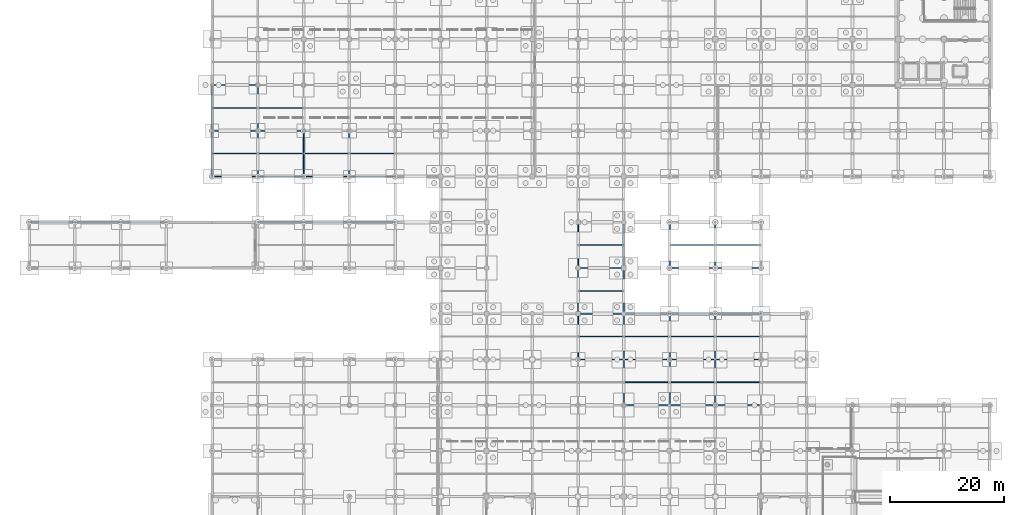
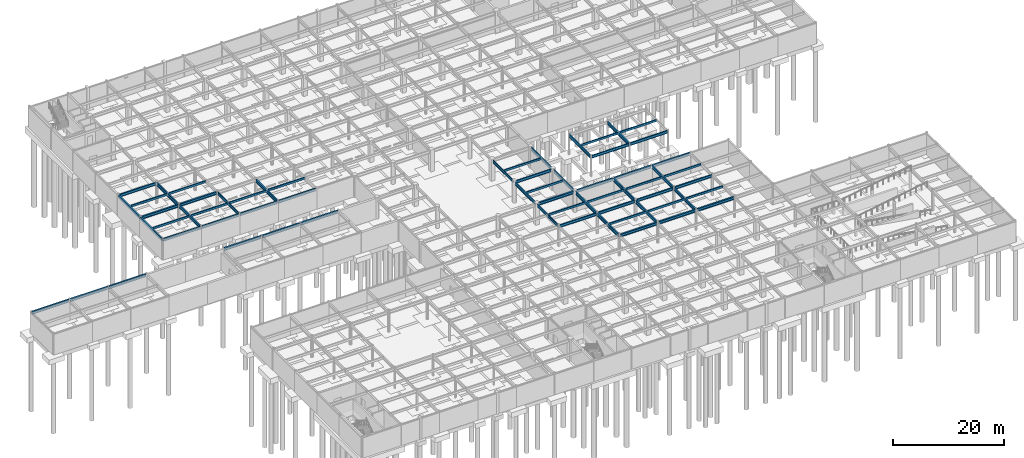
# One storey, part 47 of 105: 63 beams.
"""IFC4 building model written with IfcOpenShell, lengths in metres."""

from ifc_helpers import new_model, si_unit, direction, frame, origin, origin_2d, place, context, subcontext, project, spatial, hollow_rectangle, i_section, extrude, material, material_profile, profile_set, type_object, element, save


model = new_model("IFC4")

# Units and contexts
model_context = context("Model", 3, precision=1e-05, world=origin(), true_north=direction((0.0, 1.0)))
body_context = subcontext(model_context, "Body", "Model", "MODEL_VIEW")
ifc_project = project(units=[si_unit("LENGTHUNIT", "METRE"), si_unit("AREAUNIT", "SQUARE_METRE"), si_unit("VOLUMEUNIT", "CUBIC_METRE"), si_unit("PLANEANGLEUNIT", "RADIAN"), si_unit("MASSUNIT", "GRAM", prefix="KILO")], contexts=[model_context])

# Site, building, storey
site_placement = place(None, origin())
site = spatial("IfcSite", under=ifc_project, at=site_placement, CompositionType="ELEMENT")
building_placement = place(site_placement, origin())
building = spatial("IfcBuilding", under=site, at=building_placement, Name="Solmirada Galleria", CompositionType="ELEMENT")
storey_placement = place(building_placement, frame((0.0, 0.0, -4.800048828125)))
storey = spatial("IfcBuildingStorey", under=building, at=storey_placement, Name="B1", CompositionType="ELEMENT", Elevation=-4.800048828125)

# Beams
ifc_material_1 = material(Name="Steel S355 / ASTM A992 Grade 50", Category="steel")
ifc_material_profile_1 = material_profile(ifc_material_1, i_section(OverallWidth=0.323974609375, OverallDepth=0.611083984375, WebThickness=0.0126953125, FlangeThickness=0.01904296875, FilletRadius=0.014892578125, at=origin_2d()), Name="W24X104")
ifc_profile_set_1 = profile_set([ifc_material_profile_1], Name="Steel S355 / ASTM A992 Grade 50")
beam_type_1 = type_object("IfcBeamType", Name="BM-GIRD-W24A", PredefinedType="BEAM", material=ifc_profile_set_1)
for number, where, z_axis, x_axis, name in (
    (1, (8.126953125, 64.0, 4.274658203125), (1.0, 0.0, 0.0), (0.0, 1.0, 0.0), "Primary beam L00 X(8..16, 64)"),
    (2, (16.126953125, 64.0, 4.274658203125), (1.0, 0.0, 0.0), (0.0, 1.0, 0.0), "Primary beam L00 X(16..24, 64)"),
    (3, (24.126953125, 64.0, 4.274658203125), (1.0, 0.0, 0.0), (0.0, 1.0, 0.0), "Primary beam L00 X(24..32, 64)"),
):
    element("IfcBeam", number, at=place(storey_placement, frame(where, z_axis=z_axis, x_axis=x_axis)), inside=storey, type_object=beam_type_1, Name=name, PredefinedType="BEAM", context=body_context, shape_type="SweptSolid", body=[
        extrude(i_section(OverallWidth=0.323974609375, OverallDepth=0.611083984375, WebThickness=0.0126953125, FlangeThickness=0.01904296875, FilletRadius=0.014892578125, at=origin_2d()), origin(), (0.0, 0.0, 1.0), 7.74609375),
    ])
beam_1_placement = place(storey_placement, frame((40.177978515625, 80.0, 4.274658203125), z_axis=(1.0, 0.0, 0.0), x_axis=(0.0, 1.0, 0.0)))
element("IfcBeam", 4, at=beam_1_placement, inside=storey, type_object=beam_type_1, Name="Primary beam L00 X(40..48, 80)", PredefinedType="BEAM", context=body_context, shape_type="SweptSolid", body=[
    extrude(i_section(OverallWidth=0.323974609375, OverallDepth=0.611083984375, WebThickness=0.0126953125, FlangeThickness=0.01904296875, FilletRadius=0.014892578125, at=origin_2d()), origin(), (0.0, 0.0, 1.0), 7.64404296875),
])
beam_2_placement = place(storey_placement, frame((48.126953125, 64.0, 4.274658203125), z_axis=(1.0, 0.0, 0.0), x_axis=(0.0, 1.0, 0.0)))
element("IfcBeam", 5, at=beam_2_placement, inside=storey, type_object=beam_type_1, Name="Primary beam L00 X(48..56, 64)", PredefinedType="BEAM", context=body_context, shape_type="SweptSolid", body=[
    extrude(i_section(OverallWidth=0.323974609375, OverallDepth=0.611083984375, WebThickness=0.0126953125, FlangeThickness=0.01904296875, FilletRadius=0.014892578125, at=origin_2d()), origin(), (0.0, 0.0, 1.0), 7.74609375),
])
beam_3_placement = place(storey_placement, frame((48.177978515625, 80.0, 4.274658203125), z_axis=(1.0, 0.0, 0.0), x_axis=(0.0, 1.0, 0.0)))
element("IfcBeam", 6, at=beam_3_placement, inside=storey, type_object=beam_type_1, Name="Primary beam L00 X(48..56, 80)", PredefinedType="BEAM", context=body_context, shape_type="SweptSolid", body=[
    extrude(i_section(OverallWidth=0.323974609375, OverallDepth=0.611083984375, WebThickness=0.0126953125, FlangeThickness=0.01904296875, FilletRadius=0.014892578125, at=origin_2d()), origin(), (0.0, 0.0, 1.0), 7.64404296875),
])
for number, where, z_axis, x_axis, name in (
    (7, (56.126953125, 64.0, 4.274658203125), (1.0, 0.0, 0.0), (0.0, 1.0, 0.0), "Primary beam L00 X(56..64, 64)"),
    (8, (64.126953125, 64.0, 4.274658203125), (1.0, 0.0, 0.0), (0.0, 1.0, 0.0), "Primary beam L00 X(64..72, 64)"),
):
    element("IfcBeam", number, at=place(storey_placement, frame(where, z_axis=z_axis, x_axis=x_axis)), inside=storey, type_object=beam_type_1, Name=name, PredefinedType="BEAM", context=body_context, shape_type="SweptSolid", body=[
        extrude(i_section(OverallWidth=0.323974609375, OverallDepth=0.611083984375, WebThickness=0.0126953125, FlangeThickness=0.01904296875, FilletRadius=0.014892578125, at=origin_2d()), origin(), (0.0, 0.0, 1.0), 7.74609375),
    ])
beam_4_placement = place(storey_placement, frame((104.39990234375, 48.0, 4.274658203125), z_axis=(1.0, 0.0, 0.0), x_axis=(0.0, 1.0, 0.0)))
element("IfcBeam", 9, at=beam_4_placement, inside=storey, type_object=beam_type_1, Name="Primary beam L00 X(104..112, 48)", PredefinedType="BEAM", context=body_context, shape_type="SweptSolid", body=[
    extrude(i_section(OverallWidth=0.323974609375, OverallDepth=0.611083984375, WebThickness=0.0126953125, FlangeThickness=0.01904296875, FilletRadius=0.014892578125, at=origin_2d()), origin(), (0.0, 0.0, 1.0), 7.26416015625),
])
beam_5_placement = place(storey_placement, frame((112.19189453125, 32.0, 4.274658203125), z_axis=(1.0, 0.0, 0.0), x_axis=(0.0, 1.0, 0.0)))
element("IfcBeam", 10, at=beam_5_placement, inside=storey, type_object=beam_type_1, Name="Primary beam L00 X(112..120, 32)", PredefinedType="BEAM", context=body_context, shape_type="SweptSolid", body=[
    extrude(i_section(OverallWidth=0.323974609375, OverallDepth=0.611083984375, WebThickness=0.0126953125, FlangeThickness=0.01904296875, FilletRadius=0.014892578125, at=origin_2d()), origin(), (0.0, 0.0, 1.0), 7.6162109375),
])
beam_6_placement = place(storey_placement, frame((112.3359375, 48.0, 4.274658203125), z_axis=(1.0, 0.0, 0.0), x_axis=(0.0, 1.0, 0.0)))
element("IfcBeam", 11, at=beam_6_placement, inside=storey, type_object=beam_type_1, Name="Primary beam L00 X(112..120, 48)", PredefinedType="BEAM", context=body_context, shape_type="SweptSolid", body=[
    extrude(i_section(OverallWidth=0.323974609375, OverallDepth=0.611083984375, WebThickness=0.0126953125, FlangeThickness=0.01904296875, FilletRadius=0.014892578125, at=origin_2d()), origin(), (0.0, 0.0, 1.0), 7.537109375),
])
beam_7_placement = place(storey_placement, frame((120.19189453125, 32.0, 4.274658203125), z_axis=(1.0, 0.0, 0.0), x_axis=(0.0, 1.0, 0.0)))
element("IfcBeam", 12, at=beam_7_placement, inside=storey, type_object=beam_type_1, Name="Primary beam L00 X(120..128, 32)", PredefinedType="BEAM", context=body_context, shape_type="SweptSolid", body=[
    extrude(i_section(OverallWidth=0.323974609375, OverallDepth=0.611083984375, WebThickness=0.0126953125, FlangeThickness=0.01904296875, FilletRadius=0.014892578125, at=origin_2d()), origin(), (0.0, 0.0, 1.0), 7.6376953125),
])
beam_8_placement = place(storey_placement, frame((120.126953125, 48.0, 4.274658203125), z_axis=(1.0, 0.0, 0.0), x_axis=(0.0, 1.0, 0.0)))
element("IfcBeam", 13, at=beam_8_placement, inside=storey, type_object=beam_type_1, Name="Primary beam L00 X(120..128, 48)", PredefinedType="BEAM", context=body_context, shape_type="SweptSolid", body=[
    extrude(i_section(OverallWidth=0.323974609375, OverallDepth=0.611083984375, WebThickness=0.0126953125, FlangeThickness=0.01904296875, FilletRadius=0.014892578125, at=origin_2d()), origin(), (0.0, 0.0, 1.0), 7.74609375),
])
beam_9_placement = place(storey_placement, frame((128.17041015625, 32.0, 4.274658203125), z_axis=(1.0, 0.0, 0.0), x_axis=(0.0, 1.0, 0.0)))
element("IfcBeam", 14, at=beam_9_placement, inside=storey, type_object=beam_type_1, Name="Primary beam L00 X(128..136, 32)", PredefinedType="BEAM", context=body_context, shape_type="SweptSolid", body=[
    extrude(i_section(OverallWidth=0.323974609375, OverallDepth=0.611083984375, WebThickness=0.0126953125, FlangeThickness=0.01904296875, FilletRadius=0.014892578125, at=origin_2d()), origin(), (0.0, 0.0, 1.0), 7.6591796875),
])
beam_10_placement = place(storey_placement, frame((128.126953125, 48.0, 4.274658203125), z_axis=(1.0, 0.0, 0.0), x_axis=(0.0, 1.0, 0.0)))
element("IfcBeam", 15, at=beam_10_placement, inside=storey, type_object=beam_type_1, Name="Primary beam L00 X(128..136, 48)", PredefinedType="BEAM", context=body_context, shape_type="SweptSolid", body=[
    extrude(i_section(OverallWidth=0.323974609375, OverallDepth=0.611083984375, WebThickness=0.0126953125, FlangeThickness=0.01904296875, FilletRadius=0.014892578125, at=origin_2d()), origin(), (0.0, 0.0, 1.0), 7.74609375),
])
ifc_material_profile_2 = material_profile(ifc_material_1, i_section(OverallWidth=0.22900390625, OverallDepth=0.612060546875, WebThickness=0.011962890625, FlangeThickness=0.01953125, FilletRadius=0.014892578125, at=origin_2d()), Name="W24X84")
ifc_profile_set_2 = profile_set([ifc_material_profile_2], Name="Steel S355 / ASTM A992 Grade 50")
beam_type_2 = type_object("IfcBeamType", Name="BM-GIRD-W24B", PredefinedType="BEAM", material=ifc_profile_set_2)
beam_11_placement = place(storey_placement, frame((40.152587890625, 72.0, 4.274169921875), z_axis=(1.0, 0.0, 0.0), x_axis=(0.0, 1.0, 0.0)))
element("IfcBeam", 16, at=beam_11_placement, inside=storey, type_object=beam_type_2, Name="Primary beam L00 X(40..48, 72)", PredefinedType="BEAM", context=body_context, shape_type="SweptSolid", body=[
    extrude(i_section(OverallWidth=0.22900390625, OverallDepth=0.612060546875, WebThickness=0.011962890625, FlangeThickness=0.01953125, FilletRadius=0.014892578125, at=origin_2d()), origin(), (0.0, 0.0, 1.0), 7.720458984375),
])
beam_12_placement = place(storey_placement, frame((40.21337890625, 88.0, 4.274169921875), z_axis=(1.0, 0.0, 0.0), x_axis=(0.0, 1.0, 0.0)))
element("IfcBeam", 17, at=beam_12_placement, inside=storey, type_object=beam_type_2, Name="Primary beam L00 X(40..48, 88)", PredefinedType="BEAM", context=body_context, shape_type="SweptSolid", body=[
    extrude(i_section(OverallWidth=0.22900390625, OverallDepth=0.612060546875, WebThickness=0.011962890625, FlangeThickness=0.01953125, FilletRadius=0.014892578125, at=origin_2d()), origin(), (0.0, 0.0, 1.0), 7.5732421875),
])
for number, where, z_axis, x_axis, name in (
    (18, (48.126953125, 72.0, 4.274169921875), (1.0, 0.0, 0.0), (0.0, 1.0, 0.0), "Primary beam L00 X(48..56, 72)"),
    (19, (56.126953125, 72.0, 4.274169921875), (1.0, 0.0, 0.0), (0.0, 1.0, 0.0), "Primary beam L00 X(56..64, 72)"),
    (20, (64.126953125, 72.0, 4.274169921875), (1.0, 0.0, 0.0), (0.0, 1.0, 0.0), "Primary beam L00 X(64..72, 72)"),
):
    element("IfcBeam", number, at=place(storey_placement, frame(where, z_axis=z_axis, x_axis=x_axis)), inside=storey, type_object=beam_type_2, Name=name, PredefinedType="BEAM", context=body_context, shape_type="SweptSolid", body=[
        extrude(i_section(OverallWidth=0.22900390625, OverallDepth=0.612060546875, WebThickness=0.011962890625, FlangeThickness=0.01953125, FilletRadius=0.014892578125, at=origin_2d()), origin(), (0.0, 0.0, 1.0), 7.74609375),
    ])
beam_13_placement = place(storey_placement, frame((104.177978515625, 40.0, 4.274169921875), z_axis=(1.0, 0.0, 0.0), x_axis=(0.0, 1.0, 0.0)))
element("IfcBeam", 21, at=beam_13_placement, inside=storey, type_object=beam_type_2, Name="Primary beam L00 X(104..112, 40)", PredefinedType="BEAM", context=body_context, shape_type="SweptSolid", body=[
    extrude(i_section(OverallWidth=0.22900390625, OverallDepth=0.612060546875, WebThickness=0.011962890625, FlangeThickness=0.01953125, FilletRadius=0.014892578125, at=origin_2d()), origin(), (0.0, 0.0, 1.0), 7.64404296875),
])
beam_14_placement = place(storey_placement, frame((104.3359375, 56.0, 4.274169921875), z_axis=(1.0, 0.0, 0.0), x_axis=(0.0, 1.0, 0.0)))
element("IfcBeam", 22, at=beam_14_placement, inside=storey, type_object=beam_type_2, Name="Primary beam L00 X(104..112, 56)", PredefinedType="BEAM", context=body_context, shape_type="SweptSolid", body=[
    extrude(i_section(OverallWidth=0.22900390625, OverallDepth=0.612060546875, WebThickness=0.011962890625, FlangeThickness=0.01953125, FilletRadius=0.014892578125, at=origin_2d()), origin(), (0.0, 0.0, 1.0), 7.26416015625),
])
for number, where, z_axis, x_axis, name in (
    (23, (112.177978515625, 40.0, 4.274169921875), (1.0, 0.0, 0.0), (0.0, 1.0, 0.0), "Primary beam L00 X(112..120, 40)"),
    (24, (120.177978515625, 40.0, 4.274169921875), (1.0, 0.0, 0.0), (0.0, 1.0, 0.0), "Primary beam L00 X(120..128, 40)"),
):
    element("IfcBeam", number, at=place(storey_placement, frame(where, z_axis=z_axis, x_axis=x_axis)), inside=storey, type_object=beam_type_2, Name=name, PredefinedType="BEAM", context=body_context, shape_type="SweptSolid", body=[
        extrude(i_section(OverallWidth=0.22900390625, OverallDepth=0.612060546875, WebThickness=0.011962890625, FlangeThickness=0.01953125, FilletRadius=0.014892578125, at=origin_2d()), origin(), (0.0, 0.0, 1.0), 7.64404296875),
    ])
beam_15_placement = place(storey_placement, frame((120.126953125, 56.0, 4.274169921875), z_axis=(1.0, 0.0, 0.0), x_axis=(0.0, 1.0, 0.0)))
element("IfcBeam", 25, at=beam_15_placement, inside=storey, type_object=beam_type_2, Name="Primary beam L00 X(120..128, 56)", PredefinedType="BEAM", context=body_context, shape_type="SweptSolid", body=[
    extrude(i_section(OverallWidth=0.22900390625, OverallDepth=0.612060546875, WebThickness=0.011962890625, FlangeThickness=0.01953125, FilletRadius=0.014892578125, at=origin_2d()), origin(), (0.0, 0.0, 1.0), 7.74609375),
])
beam_16_placement = place(storey_placement, frame((128.177978515625, 40.0, 4.274169921875), z_axis=(1.0, 0.0, 0.0), x_axis=(0.0, 1.0, 0.0)))
element("IfcBeam", 26, at=beam_16_placement, inside=storey, type_object=beam_type_2, Name="Primary beam L00 X(128..136, 40)", PredefinedType="BEAM", context=body_context, shape_type="SweptSolid", body=[
    extrude(i_section(OverallWidth=0.22900390625, OverallDepth=0.612060546875, WebThickness=0.011962890625, FlangeThickness=0.01953125, FilletRadius=0.014892578125, at=origin_2d()), origin(), (0.0, 0.0, 1.0), 7.64404296875),
])
beam_17_placement = place(storey_placement, frame((128.126953125, 56.0, 4.274169921875), z_axis=(1.0, 0.0, 0.0), x_axis=(0.0, 1.0, 0.0)))
element("IfcBeam", 27, at=beam_17_placement, inside=storey, type_object=beam_type_2, Name="Primary beam L00 X(128..136, 56)", PredefinedType="BEAM", context=body_context, shape_type="SweptSolid", body=[
    extrude(i_section(OverallWidth=0.22900390625, OverallDepth=0.612060546875, WebThickness=0.011962890625, FlangeThickness=0.01953125, FilletRadius=0.014892578125, at=origin_2d()), origin(), (0.0, 0.0, 1.0), 7.74609375),
])
ifc_material_profile_3 = material_profile(ifc_material_1, i_section(OverallWidth=0.22802734375, OverallDepth=0.60302734375, WebThickness=0.010498046875, FlangeThickness=0.014892578125, FilletRadius=0.014892578125, at=origin_2d()), Name="W24X68")
ifc_profile_set_3 = profile_set([ifc_material_profile_3], Name="Steel S355 / ASTM A992 Grade 50")
beam_type_3 = type_object("IfcBeamType", Name="BM-GIRD-W24C", PredefinedType="BEAM", material=ifc_profile_set_3)
beam_18_placement = place(storey_placement, frame((104.0, 48.39990234375, 4.278564453125), z_axis=(0.0, 1.0, 0.0), x_axis=(-1.0, 0.0, 0.0)))
element("IfcBeam", 28, at=beam_18_placement, inside=storey, type_object=beam_type_3, Name="Primary girder L00 Y(104, 48..56)", PredefinedType="BEAM", context=body_context, shape_type="SweptSolid", body=[
    extrude(i_section(OverallWidth=0.22802734375, OverallDepth=0.60302734375, WebThickness=0.010498046875, FlangeThickness=0.014892578125, FilletRadius=0.014892578125, at=origin_2d()), origin(), (0.0, 0.0, 1.0), 7.26416015625),
])
ifc_material_profile_4 = material_profile(ifc_material_1, i_section(OverallWidth=0.177978515625, OverallDepth=0.59912109375, WebThickness=0.010009765625, FlangeThickness=0.0126953125, FilletRadius=0.013916015625, at=origin_2d()), Name="W24X55")
ifc_profile_set_4 = profile_set([ifc_material_profile_4], Name="Steel S355 / ASTM A992 Grade 50")
beam_type_4 = type_object("IfcBeamType", Name="BM-GIRD-W24D", PredefinedType="BEAM", material=ifc_profile_set_4)
beam_19_placement = place(storey_placement, frame((56.0, 72.126953125, 4.280517578125), z_axis=(0.0, 1.0, 0.0), x_axis=(-1.0, 0.0, 0.0)))
element("IfcBeam", 29, at=beam_19_placement, inside=storey, type_object=beam_type_4, Name="Primary girder L00 Y(56, 72..80)", PredefinedType="BEAM", context=body_context, shape_type="SweptSolid", body=[
    extrude(i_section(OverallWidth=0.177978515625, OverallDepth=0.59912109375, WebThickness=0.010009765625, FlangeThickness=0.0126953125, FilletRadius=0.013916015625, at=origin_2d()), origin(), (0.0, 0.0, 1.0), 7.695068359375),
])
beam_20_placement = place(storey_placement, frame((104.0, 40.177978515625, 4.280517578125), z_axis=(0.0, 1.0, 0.0), x_axis=(-1.0, 0.0, 0.0)))
element("IfcBeam", 30, at=beam_20_placement, inside=storey, type_object=beam_type_4, Name="Primary girder L00 Y(104, 40..48)", PredefinedType="BEAM", context=body_context, shape_type="SweptSolid", body=[
    extrude(i_section(OverallWidth=0.177978515625, OverallDepth=0.59912109375, WebThickness=0.010009765625, FlangeThickness=0.0126953125, FilletRadius=0.013916015625, at=origin_2d()), origin(), (0.0, 0.0, 1.0), 7.422119140625),
])
beam_21_placement = place(storey_placement, frame((104.0, 56.3359375, 4.280517578125), z_axis=(0.0, 1.0, 0.0), x_axis=(-1.0, 0.0, 0.0)))
element("IfcBeam", 31, at=beam_21_placement, inside=storey, type_object=beam_type_4, Name="Primary girder L00 Y(104, 56..64)", PredefinedType="BEAM", context=body_context, shape_type="SweptSolid", body=[
    extrude(i_section(OverallWidth=0.177978515625, OverallDepth=0.59912109375, WebThickness=0.010009765625, FlangeThickness=0.0126953125, FilletRadius=0.013916015625, at=origin_2d()), origin(), (0.0, 0.0, 1.0), 7.26416015625),
])
ifc_material_profile_5 = material_profile(ifc_material_1, i_section(OverallWidth=0.256103515625, OverallDepth=0.693115234375, WebThickness=0.014404296875, FlangeThickness=0.023681640625, FilletRadius=0.01806640625, at=origin_2d()), Name="W27X114")
ifc_profile_set_5 = profile_set([ifc_material_profile_5], Name="Steel S355 / ASTM A992 Grade 50")
beam_type_5 = type_object("IfcBeamType", Name="BM-GIRD-W27A", PredefinedType="BEAM", material=ifc_profile_set_5)
beam_22_placement = place(storey_placement, frame((48.0, 72.126953125, 4.233642578125), z_axis=(0.0, 1.0, 0.0), x_axis=(-1.0, 0.0, 0.0)))
element("IfcBeam", 32, at=beam_22_placement, inside=storey, type_object=beam_type_5, Name="Primary girder L00 Y(48, 72..80)", PredefinedType="BEAM", context=body_context, shape_type="SweptSolid", body=[
    extrude(i_section(OverallWidth=0.256103515625, OverallDepth=0.693115234375, WebThickness=0.014404296875, FlangeThickness=0.023681640625, FilletRadius=0.01806640625, at=origin_2d()), origin(), (0.0, 0.0, 1.0), 7.695068359375),
])
beam_23_placement = place(storey_placement, frame((48.0, 80.177978515625, 4.233642578125), z_axis=(0.0, 1.0, 0.0), x_axis=(-1.0, 0.0, 0.0)))
element("IfcBeam", 33, at=beam_23_placement, inside=storey, type_object=beam_type_5, Name="Primary girder L00 Y(48, 80..88)", PredefinedType="BEAM", context=body_context, shape_type="SweptSolid", body=[
    extrude(i_section(OverallWidth=0.256103515625, OverallDepth=0.693115234375, WebThickness=0.014404296875, FlangeThickness=0.023681640625, FilletRadius=0.01806640625, at=origin_2d()), origin(), (0.0, 0.0, 1.0), 7.608642578125),
])
beam_24_placement = place(storey_placement, frame((120.0, 32.19189453125, 4.233642578125), z_axis=(0.0, 1.0, 0.0), x_axis=(-1.0, 0.0, 0.0)))
element("IfcBeam", 34, at=beam_24_placement, inside=storey, type_object=beam_type_5, Name="Primary girder L00 Y(120, 32..40)", PredefinedType="BEAM", context=body_context, shape_type="SweptSolid", body=[
    extrude(i_section(OverallWidth=0.256103515625, OverallDepth=0.693115234375, WebThickness=0.014404296875, FlangeThickness=0.023681640625, FilletRadius=0.01806640625, at=origin_2d()), origin(), (0.0, 0.0, 1.0), 7.630126953125),
])
beam_25_placement = place(storey_placement, frame((120.0, 40.177978515625, 4.233642578125), z_axis=(0.0, 1.0, 0.0), x_axis=(-1.0, 0.0, 0.0)))
element("IfcBeam", 35, at=beam_25_placement, inside=storey, type_object=beam_type_5, Name="Primary girder L00 Y(120, 40..48)", PredefinedType="BEAM", context=body_context, shape_type="SweptSolid", body=[
    extrude(i_section(OverallWidth=0.256103515625, OverallDepth=0.693115234375, WebThickness=0.014404296875, FlangeThickness=0.023681640625, FilletRadius=0.01806640625, at=origin_2d()), origin(), (0.0, 0.0, 1.0), 7.695068359375),
])
beam_26_placement = place(storey_placement, frame((120.0, 56.126953125, 4.233642578125), z_axis=(0.0, 1.0, 0.0), x_axis=(-1.0, 0.0, 0.0)))
element("IfcBeam", 36, at=beam_26_placement, inside=storey, type_object=beam_type_5, Name="Primary girder L00 Y(120, 56..64)", PredefinedType="BEAM", context=body_context, shape_type="SweptSolid", body=[
    extrude(i_section(OverallWidth=0.256103515625, OverallDepth=0.693115234375, WebThickness=0.014404296875, FlangeThickness=0.023681640625, FilletRadius=0.01806640625, at=origin_2d()), origin(), (0.0, 0.0, 1.0), 7.74609375),
])
ifc_material_profile_6 = material_profile(ifc_material_1, i_section(OverallWidth=0.25390625, OverallDepth=0.68408203125, WebThickness=0.012451171875, FlangeThickness=0.018798828125, FilletRadius=0.01708984375, at=origin_2d()), Name="W27X94")
ifc_profile_set_6 = profile_set([ifc_material_profile_6], Name="Steel S355 / ASTM A992 Grade 50")
beam_type_6 = type_object("IfcBeamType", Name="BM-GIRD-W27B", PredefinedType="BEAM", material=ifc_profile_set_6)
beam_27_placement = place(storey_placement, frame((64.0, 72.126953125, 4.238037109375), z_axis=(0.0, 1.0, 0.0), x_axis=(-1.0, 0.0, 0.0)))
element("IfcBeam", 37, at=beam_27_placement, inside=storey, type_object=beam_type_6, Name="Primary girder L00 Y(64, 72..80)", PredefinedType="BEAM", context=body_context, shape_type="SweptSolid", body=[
    extrude(i_section(OverallWidth=0.25390625, OverallDepth=0.68408203125, WebThickness=0.012451171875, FlangeThickness=0.018798828125, FilletRadius=0.01708984375, at=origin_2d()), origin(), (0.0, 0.0, 1.0), 7.695068359375),
])
beam_28_placement = place(storey_placement, frame((112.0, 32.19189453125, 4.238037109375), z_axis=(0.0, 1.0, 0.0), x_axis=(-1.0, 0.0, 0.0)))
element("IfcBeam", 38, at=beam_28_placement, inside=storey, type_object=beam_type_6, Name="Primary girder L00 Y(112, 32..40)", PredefinedType="BEAM", context=body_context, shape_type="SweptSolid", body=[
    extrude(i_section(OverallWidth=0.25390625, OverallDepth=0.68408203125, WebThickness=0.012451171875, FlangeThickness=0.018798828125, FilletRadius=0.01708984375, at=origin_2d()), origin(), (0.0, 0.0, 1.0), 7.630126953125),
])
beam_29_placement = place(storey_placement, frame((112.0, 40.177978515625, 4.238037109375), z_axis=(0.0, 1.0, 0.0), x_axis=(-1.0, 0.0, 0.0)))
element("IfcBeam", 39, at=beam_29_placement, inside=storey, type_object=beam_type_6, Name="Primary girder L00 Y(112, 40..48)", PredefinedType="BEAM", context=body_context, shape_type="SweptSolid", body=[
    extrude(i_section(OverallWidth=0.25390625, OverallDepth=0.68408203125, WebThickness=0.012451171875, FlangeThickness=0.018798828125, FilletRadius=0.01708984375, at=origin_2d()), origin(), (0.0, 0.0, 1.0), 7.486083984375),
])
for number, where, z_axis, x_axis, name in (
    (40, (112.0, 48.3359375, 4.238037109375), (0.0, 1.0, 0.0), (-1.0, 0.0, 0.0), "Primary girder L00 Y(112, 48..56)"),
    (41, (112.0, 56.39990234375, 4.238037109375), (0.0, 1.0, 0.0), (-1.0, 0.0, 0.0), "Primary girder L00 Y(112, 56..64)"),
):
    element("IfcBeam", number, at=place(storey_placement, frame(where, z_axis=z_axis, x_axis=x_axis)), inside=storey, type_object=beam_type_6, Name=name, PredefinedType="BEAM", context=body_context, shape_type="SweptSolid", body=[
        extrude(i_section(OverallWidth=0.25390625, OverallDepth=0.68408203125, WebThickness=0.012451171875, FlangeThickness=0.018798828125, FilletRadius=0.01708984375, at=origin_2d()), origin(), (0.0, 0.0, 1.0), 7.26416015625),
    ])
beam_30_placement = place(storey_placement, frame((128.0, 32.17041015625, 4.238037109375), z_axis=(0.0, 1.0, 0.0), x_axis=(-1.0, 0.0, 0.0)))
element("IfcBeam", 42, at=beam_30_placement, inside=storey, type_object=beam_type_6, Name="Primary girder L00 Y(128, 32..40)", PredefinedType="BEAM", context=body_context, shape_type="SweptSolid", body=[
    extrude(i_section(OverallWidth=0.25390625, OverallDepth=0.68408203125, WebThickness=0.012451171875, FlangeThickness=0.018798828125, FilletRadius=0.01708984375, at=origin_2d()), origin(), (0.0, 0.0, 1.0), 7.651611328125),
])
beam_31_placement = place(storey_placement, frame((128.0, 40.177978515625, 4.238037109375), z_axis=(0.0, 1.0, 0.0), x_axis=(-1.0, 0.0, 0.0)))
element("IfcBeam", 43, at=beam_31_placement, inside=storey, type_object=beam_type_6, Name="Primary girder L00 Y(128, 40..48)", PredefinedType="BEAM", context=body_context, shape_type="SweptSolid", body=[
    extrude(i_section(OverallWidth=0.25390625, OverallDepth=0.68408203125, WebThickness=0.012451171875, FlangeThickness=0.018798828125, FilletRadius=0.01708984375, at=origin_2d()), origin(), (0.0, 0.0, 1.0), 7.695068359375),
])
beam_32_placement = place(storey_placement, frame((128.0, 56.126953125, 4.238037109375), z_axis=(0.0, 1.0, 0.0), x_axis=(-1.0, 0.0, 0.0)))
element("IfcBeam", 44, at=beam_32_placement, inside=storey, type_object=beam_type_6, Name="Primary girder L00 Y(128, 56..64)", PredefinedType="BEAM", context=body_context, shape_type="SweptSolid", body=[
    extrude(i_section(OverallWidth=0.25390625, OverallDepth=0.68408203125, WebThickness=0.012451171875, FlangeThickness=0.018798828125, FilletRadius=0.01708984375, at=origin_2d()), origin(), (0.0, 0.0, 1.0), 7.74609375),
])
ifc_material_2 = material(Name="Steel S355 / ASTM A500 Grade C", Category="steel")
ifc_material_profile_7 = material_profile(ifc_material_2, hollow_rectangle(XDim=0.202880859375, YDim=0.45703125, WallThickness=0.01171875, InnerFilletRadius=0.01171875, OuterFilletRadius=0.023681640625, at=origin_2d()), Name="HSS18X8X1/2")
ifc_profile_set_7 = profile_set([ifc_material_profile_7], Name="Steel S355 / ASTM A500 Grade C")
beam_type_7 = type_object("IfcBeamType", Name="BM-JST-W16A", PredefinedType="JOIST", material=ifc_profile_set_7)
for number, where, z_axis, x_axis, name in (
    (45, (40.152587890625, 76.0, 4.3515625), (1.0, 0.0, 0.0), (0.0, 1.0, 0.0), "Composite floor joist L00 (40..48, 76.0)"),
    (46, (40.152587890625, 84.0, 4.3515625), (1.0, 0.0, 0.0), (0.0, 1.0, 0.0), "Composite floor joist L00 (40..48, 84.0)"),
):
    element("IfcBeam", number, at=place(storey_placement, frame(where, z_axis=z_axis, x_axis=x_axis)), inside=storey, type_object=beam_type_7, Name=name, PredefinedType="JOIST", context=body_context, shape_type="SweptSolid", body=[
        extrude(hollow_rectangle(XDim=0.202880859375, YDim=0.45703125, WallThickness=0.01171875, InnerFilletRadius=0.01171875, OuterFilletRadius=0.023681640625, at=origin_2d()), origin(), (0.0, 0.0, 1.0), 7.719482421875),
    ])
beam_33_placement = place(storey_placement, frame((48.1279296875, 76.0, 4.3515625), z_axis=(1.0, 0.0, 0.0), x_axis=(0.0, 1.0, 0.0)))
element("IfcBeam", 47, at=beam_33_placement, inside=storey, type_object=beam_type_7, Name="Composite floor joist L00 (48..56, 76.0)", PredefinedType="JOIST", context=body_context, shape_type="SweptSolid", body=[
    extrude(hollow_rectangle(XDim=0.202880859375, YDim=0.45703125, WallThickness=0.01171875, InnerFilletRadius=0.01171875, OuterFilletRadius=0.023681640625, at=origin_2d()), origin(), (0.0, 0.0, 1.0), 7.782958984375),
])
beam_34_placement = place(storey_placement, frame((48.1279296875, 84.0, 4.3515625), z_axis=(1.0, 0.0, 0.0), x_axis=(0.0, 1.0, 0.0)))
element("IfcBeam", 48, at=beam_34_placement, inside=storey, type_object=beam_type_7, Name="Composite floor joist L00 (48..56, 84.0)", PredefinedType="JOIST", context=body_context, shape_type="SweptSolid", body=[
    extrude(hollow_rectangle(XDim=0.202880859375, YDim=0.45703125, WallThickness=0.01171875, InnerFilletRadius=0.01171875, OuterFilletRadius=0.023681640625, at=origin_2d()), origin(), (0.0, 0.0, 1.0), 7.758056640625),
])
beam_35_placement = place(storey_placement, frame((56.089111328125, 76.0, 4.3515625), z_axis=(1.0, 0.0, 0.0), x_axis=(0.0, 1.0, 0.0)))
element("IfcBeam", 49, at=beam_35_placement, inside=storey, type_object=beam_type_7, Name="Composite floor joist L00 (56..64, 76.0)", PredefinedType="JOIST", context=body_context, shape_type="SweptSolid", body=[
    extrude(hollow_rectangle(XDim=0.202880859375, YDim=0.45703125, WallThickness=0.01171875, InnerFilletRadius=0.01171875, OuterFilletRadius=0.023681640625, at=origin_2d()), origin(), (0.0, 0.0, 1.0), 7.783935546875),
])
beam_36_placement = place(storey_placement, frame((64.126953125, 76.0, 4.3515625), z_axis=(1.0, 0.0, 0.0), x_axis=(0.0, 1.0, 0.0)))
element("IfcBeam", 50, at=beam_36_placement, inside=storey, type_object=beam_type_7, Name="Composite floor joist L00 (64..72, 76.0)", PredefinedType="JOIST", context=body_context, shape_type="SweptSolid", body=[
    extrude(hollow_rectangle(XDim=0.202880859375, YDim=0.45703125, WallThickness=0.01171875, InnerFilletRadius=0.01171875, OuterFilletRadius=0.023681640625, at=origin_2d()), origin(), (0.0, 0.0, 1.0), 7.7451171875),
])
beam_37_placement = place(storey_placement, frame((104.089111328125, 44.0, 4.3515625), z_axis=(1.0, 0.0, 0.0), x_axis=(0.0, 1.0, 0.0)))
element("IfcBeam", 51, at=beam_37_placement, inside=storey, type_object=beam_type_7, Name="Composite floor joist L00 (104..112, 44.0)", PredefinedType="JOIST", context=body_context, shape_type="SweptSolid", body=[
    extrude(hollow_rectangle(XDim=0.202880859375, YDim=0.45703125, WallThickness=0.01171875, InnerFilletRadius=0.01171875, OuterFilletRadius=0.023681640625, at=origin_2d()), origin(), (0.0, 0.0, 1.0), 7.783935546875),
])
beam_38_placement = place(storey_placement, frame((104.114013671875, 52.0, 4.3515625), z_axis=(1.0, 0.0, 0.0), x_axis=(0.0, 1.0, 0.0)))
element("IfcBeam", 52, at=beam_38_placement, inside=storey, type_object=beam_type_7, Name="Composite floor joist L00 (104..112, 52.0)", PredefinedType="JOIST", context=body_context, shape_type="SweptSolid", body=[
    extrude(hollow_rectangle(XDim=0.202880859375, YDim=0.45703125, WallThickness=0.01171875, InnerFilletRadius=0.01171875, OuterFilletRadius=0.023681640625, at=origin_2d()), origin(), (0.0, 0.0, 1.0), 7.759033203125),
])
beam_39_placement = place(storey_placement, frame((104.089111328125, 60.0, 4.3515625), z_axis=(1.0, 0.0, 0.0), x_axis=(0.0, 1.0, 0.0)))
element("IfcBeam", 53, at=beam_39_placement, inside=storey, type_object=beam_type_7, Name="Composite floor joist L00 (104..112, 60.0)", PredefinedType="JOIST", context=body_context, shape_type="SweptSolid", body=[
    extrude(hollow_rectangle(XDim=0.202880859375, YDim=0.45703125, WallThickness=0.01171875, InnerFilletRadius=0.01171875, OuterFilletRadius=0.023681640625, at=origin_2d()), origin(), (0.0, 0.0, 1.0), 7.783935546875),
])
for number, where, z_axis, x_axis, name in (
    (54, (112.126953125, 36.0, 4.3515625), (1.0, 0.0, 0.0), (0.0, 1.0, 0.0), "Composite floor joist L00 (112..120, 36.0)"),
    (55, (112.126953125, 44.0, 4.3515625), (1.0, 0.0, 0.0), (0.0, 1.0, 0.0), "Composite floor joist L00 (112..120, 44.0)"),
    (56, (120.1279296875, 36.0, 4.3515625), (1.0, 0.0, 0.0), (0.0, 1.0, 0.0), "Composite floor joist L00 (120..128, 36.0)"),
    (57, (120.1279296875, 44.0, 4.3515625), (1.0, 0.0, 0.0), (0.0, 1.0, 0.0), "Composite floor joist L00 (120..128, 44.0)"),
    (58, (120.1279296875, 60.0, 4.3515625), (1.0, 0.0, 0.0), (0.0, 1.0, 0.0), "Composite floor joist L00 (120..128, 60.0)"),
):
    element("IfcBeam", number, at=place(storey_placement, frame(where, z_axis=z_axis, x_axis=x_axis)), inside=storey, type_object=beam_type_7, Name=name, PredefinedType="JOIST", context=body_context, shape_type="SweptSolid", body=[
        extrude(hollow_rectangle(XDim=0.202880859375, YDim=0.45703125, WallThickness=0.01171875, InnerFilletRadius=0.01171875, OuterFilletRadius=0.023681640625, at=origin_2d()), origin(), (0.0, 0.0, 1.0), 7.7451171875),
    ])
beam_40_placement = place(storey_placement, frame((128.126953125, 36.0, 4.3515625), z_axis=(1.0, 0.0, 0.0), x_axis=(0.0, 1.0, 0.0)))
element("IfcBeam", 59, at=beam_40_placement, inside=storey, type_object=beam_type_7, Name="Composite floor joist L00 (128..136, 36.0)", PredefinedType="JOIST", context=body_context, shape_type="SweptSolid", body=[
    extrude(hollow_rectangle(XDim=0.202880859375, YDim=0.45703125, WallThickness=0.01171875, InnerFilletRadius=0.01171875, OuterFilletRadius=0.023681640625, at=origin_2d()), origin(), (0.0, 0.0, 1.0), 7.759033203125),
])
for number, where, z_axis, x_axis, name in (
    (60, (128.126953125, 44.0, 4.3515625), (1.0, 0.0, 0.0), (0.0, 1.0, 0.0), "Composite floor joist L00 (128..136, 44.0)"),
    (61, (128.126953125, 60.0, 4.3515625), (1.0, 0.0, 0.0), (0.0, 1.0, 0.0), "Composite floor joist L00 (128..136, 60.0)"),
):
    element("IfcBeam", number, at=place(storey_placement, frame(where, z_axis=z_axis, x_axis=x_axis)), inside=storey, type_object=beam_type_7, Name=name, PredefinedType="JOIST", context=body_context, shape_type="SweptSolid", body=[
        extrude(hollow_rectangle(XDim=0.202880859375, YDim=0.45703125, WallThickness=0.01171875, InnerFilletRadius=0.01171875, OuterFilletRadius=0.023681640625, at=origin_2d()), origin(), (0.0, 0.0, 1.0), 7.783935546875),
    ])
ifc_material_profile_8 = material_profile(ifc_material_2, hollow_rectangle(XDim=0.304931640625, YDim=0.55908203125, WallThickness=0.01171875, InnerFilletRadius=0.01171875, OuterFilletRadius=0.023681640625, at=origin_2d()), Name="HSS22X12X1/2")
ifc_profile_set_8 = profile_set([ifc_material_profile_8], Name="Steel S355 / ASTM A500 Grade C")
beam_type_8 = type_object("IfcBeamType", Name="BM-SPAND-W21", PredefinedType="SPANDREL", material=ifc_profile_set_8)
beam_41_placement = place(storey_placement, frame((40.0, 72.152587890625, 4.300537109375), z_axis=(0.0, 1.0, 0.0), x_axis=(-1.0, 0.0, 0.0)))
element("IfcBeam", 62, at=beam_41_placement, inside=storey, type_object=beam_type_8, Name="Primary girder L00 Y(40, 72..80)", PredefinedType="SPANDREL", context=body_context, shape_type="SweptSolid", body=[
    extrude(hollow_rectangle(XDim=0.304931640625, YDim=0.55908203125, WallThickness=0.01171875, InnerFilletRadius=0.01171875, OuterFilletRadius=0.023681640625, at=origin_2d()), origin(), (0.0, 0.0, 1.0), 7.66943359375),
])
beam_42_placement = place(storey_placement, frame((40.0, 80.177978515625, 4.300537109375), z_axis=(0.0, 1.0, 0.0), x_axis=(-1.0, 0.0, 0.0)))
element("IfcBeam", 63, at=beam_42_placement, inside=storey, type_object=beam_type_8, Name="Primary girder L00 Y(40, 80..88)", PredefinedType="SPANDREL", context=body_context, shape_type="SweptSolid", body=[
    extrude(hollow_rectangle(XDim=0.304931640625, YDim=0.55908203125, WallThickness=0.01171875, InnerFilletRadius=0.01171875, OuterFilletRadius=0.023681640625, at=origin_2d()), origin(), (0.0, 0.0, 1.0), 7.608642578125),
])

save(model, "model.ifc")
